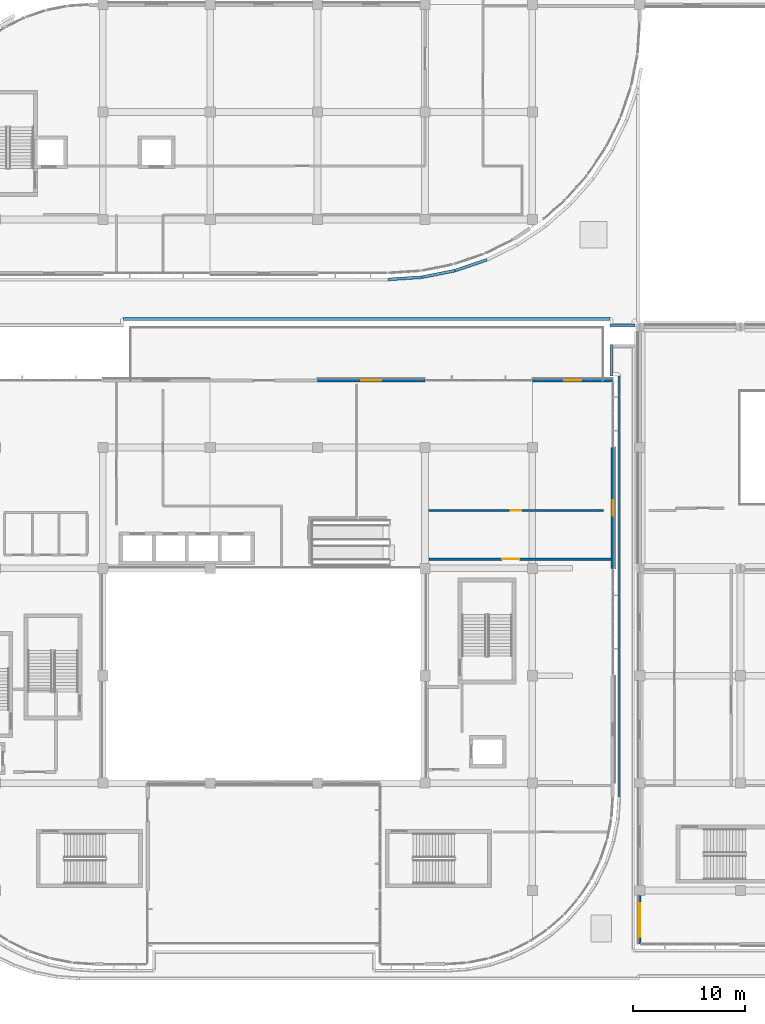
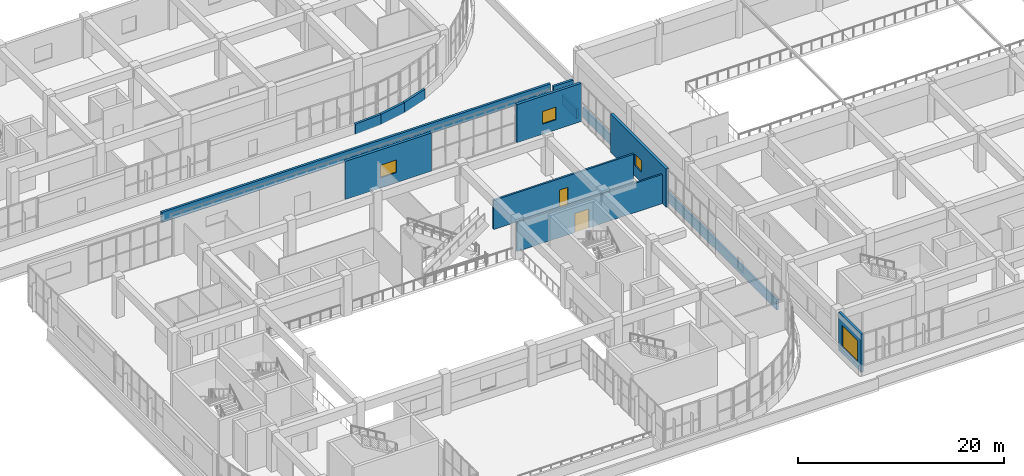
# One storey, part 64 of 96: 13 walls, 4 windows, 2 doors, 6 openings.
"""IFC4 building model written with IfcOpenShell, lengths in metres."""

from ifc_helpers import new_model, si_unit, direction, frame, frame_2d, origin, place, context, subcontext, project, spatial, rectangle, extrude, material, layer, layer_set, type_object, element, fill, save


model = new_model("IFC4")

# Units and contexts
model_context = context("Model", 3, precision=1e-05, world=origin(), true_north=direction((0.0, 1.0)))
body_context = subcontext(model_context, "Body", "Model", "MODEL_VIEW")
ifc_project = project(units=[si_unit("LENGTHUNIT", "METRE"), si_unit("AREAUNIT", "SQUARE_METRE"), si_unit("VOLUMEUNIT", "CUBIC_METRE"), si_unit("PLANEANGLEUNIT", "RADIAN"), si_unit("MASSUNIT", "GRAM", prefix="KILO")], contexts=[model_context])

# Site, building, storey
site_placement = place(None, origin())
site = spatial("IfcSite", under=ifc_project, at=site_placement, CompositionType="ELEMENT")
building_placement = place(site_placement, origin())
building = spatial("IfcBuilding", under=site, at=building_placement, Name="Cendralis Terraced Arcade", CompositionType="ELEMENT")
storey_placement = place(building_placement, frame((0.0, 0.0, 10.199951171875)))
storey = spatial("IfcBuildingStorey", under=building, at=storey_placement, Name="L02", CompositionType="ELEMENT", Elevation=10.199951171875)

# Wall, opening, door
ifc_material_1 = material(Name="Gypsum plasterboard acoustic partition", Category="concrete")
ifc_layer_1 = layer(ifc_material_1, 0.195068359375, Name="WL-ACOU-195")
ifc_layer_set_1 = layer_set([ifc_layer_1], Name="Gypsum plasterboard acoustic partition")
wall_type_1 = type_object("IfcWallType", Name="WL-ACOU-195", PredefinedType="PARTITIONING", material=ifc_layer_set_1)
wall_1_placement = place(storey_placement, frame((48.37939453125, 39.219970703125, 0.0), z_axis=(0.0, 0.0, 1.0), x_axis=(1.0, 0.0, 0.0)))
wall_1 = element("IfcWall", 1, at=wall_1_placement, inside=storey, type_object=wall_type_1, Name="Interior Partition Wall IW-L02-0445", PredefinedType="PARTITIONING", context=body_context, shape_type="SweptSolid", body=[
    extrude(rectangle(XDim=16.2705078125, YDim=0.195068359375, at=frame_2d((8.13525390625, 0.0))), origin(), (0.0, 0.0, 1.0), 3.455078125),
])
opening_1_placement = place(wall_1_placement, frame((6.515380859375, 0.0, 0.0)))
opening_1 = element("IfcOpeningElement", 2, at=opening_1_placement, cuts=wall_1, Name="Opening D-L02-121", PredefinedType="OPENING", context=body_context, shape_type="SweptSolid", body=[
    extrude(rectangle(XDim=1.550048828125, YDim=2.25, at=frame_2d((0.77490234375, 1.125))), frame((0.0, 0.109375, 0.0), z_axis=(0.0, -1.0, 0.0), x_axis=(1.0, 0.0, 0.0)), (0.0, 0.0, 1.0), 0.218994140625),
])
ifc_material_2 = material(Name="Solid core Andean oak veneer door leaf", Category="aluminium")
door_type_1 = type_object("IfcDoorType", Name="ID-DEP-1550x2250", OperationType="DOUBLE_DOOR_SINGLE_SWING", PredefinedType="DOOR", material=ifc_material_2)
door_1_placement = place(opening_1_placement, origin())
door_1 = element("IfcDoor", 3, at=door_1_placement, inside=storey, type_object=door_type_1, Name="Tailoring and Alteration Workshop Door D-L02-121", OperationType="DOUBLE_DOOR_SINGLE_SWING", OverallHeight=2.25, OverallWidth=1.550048828125, PredefinedType="DOOR", context=body_context, shape_type="SweptSolid", body=[
    extrude(rectangle(XDim=1.550048828125, YDim=2.25, at=frame_2d((0.77490234375, 1.125))), frame((0.0, 0.02490234375, 0.0), z_axis=(0.0, -1.0, 0.0), x_axis=(1.0, 0.0, 0.0)), (0.0, 0.0, 1.0), 0.050048828125),
])
fill(opening_1, door_1)

ifc_layer_2 = layer(ifc_material_1, 0.2099609375, Name="WL-ACOU-210")
ifc_layer_set_2 = layer_set([ifc_layer_2], Name="Gypsum plasterboard acoustic partition")
wall_type_2 = type_object("IfcWallType", Name="WL-ACOU-210", PredefinedType="PARTITIONING", material=ifc_layer_set_2)
wall_2_placement = place(storey_placement, frame((63.9599609375, 43.580078125, 0.0), z_axis=(0.0, 0.0, 1.0), x_axis=(-1.0, 0.0, 0.0)))
wall_2 = element("IfcWall", 4, at=wall_2_placement, inside=storey, type_object=wall_type_2, Name="Interior Partition Wall IW-L02-0443", PredefinedType="PARTITIONING", context=body_context, shape_type="SweptSolid", body=[
    extrude(rectangle(XDim=15.653076171875, YDim=0.2099609375, at=frame_2d((7.82666015625, 0.0))), origin(), (0.0, 0.0, 1.0), 3.455078125),
])
opening_2_placement = place(wall_2_placement, frame((7.36669921875, 0.0, 0.0)))
opening_2 = element("IfcOpeningElement", 5, at=opening_2_placement, cuts=wall_2, Name="Opening D-L02-120", PredefinedType="OPENING", context=body_context, shape_type="SweptSolid", body=[
    extrude(rectangle(XDim=0.919921875, YDim=2.10009765625, at=frame_2d((0.4599609375, 1.050048828125))), frame((0.0, 0.116943359375, 0.0), z_axis=(0.0, -1.0, 0.0), x_axis=(1.0, 0.0, 0.0)), (0.0, 0.0, 1.0), 0.23388671875),
])
door_type_2 = type_object("IfcDoorType", Name="ID-RM-0920x2100", OperationType="NOTDEFINED", PredefinedType="DOOR", material=ifc_material_2)
door_2_placement = place(opening_2_placement, origin())
door_2 = element("IfcDoor", 6, at=door_2_placement, inside=storey, type_object=door_type_2, Name="Tailoring and Alteration Workshop Door D-L02-120", OperationType="SINGLE_SWING_LEFT", OverallHeight=2.10009765625, OverallWidth=0.919921875, PredefinedType="DOOR", context=body_context, shape_type="SweptSolid", body=[
    extrude(rectangle(XDim=0.919921875, YDim=2.10009765625, at=frame_2d((0.4599609375, 1.050048828125))), frame((0.0, 0.02490234375, 0.0), z_axis=(0.0, -1.0, 0.0), x_axis=(1.0, 0.0, 0.0)), (0.0, 0.0, 1.0), 0.050048828125),
])
fill(opening_2, door_2)

# Wall, opening, window
ifc_material_3 = material(Name="Precast concrete f'c 40 MPa", Category="concrete")
ifc_layer_3 = layer(ifc_material_3, 0.300048828125, Name="WL-EXT-GRC-300")
ifc_layer_set_3 = layer_set([ifc_layer_3], Name="Precast concrete f'c 40 MPa")
wall_type_3 = type_object("IfcWallType", Name="WL-EXT-GRC-300", PredefinedType="SOLIDWALL", material=ifc_layer_set_3)
wall_3_placement = place(storey_placement, frame((38.39990234375, 55.199951171875, 0.0), z_axis=(0.0, 0.0, 1.0), x_axis=(1.0, 0.0, 0.0)))
wall_3 = element("IfcWall", 7, at=wall_3_placement, inside=storey, type_object=wall_type_3, Name="Exterior Architectural Wall EW-L02-0225", PredefinedType="SOLIDWALL", context=body_context, shape_type="SweptSolid", body=[
    extrude(rectangle(XDim=9.60009765625, YDim=0.300048828125, at=frame_2d((4.800048828125, 0.0))), origin(), (0.0, 0.0, 1.0), 4.51513671875),
])
opening_3_placement = place(wall_3_placement, frame((3.89990234375, 0.0, 1.199951171875)))
opening_3 = element("IfcOpeningElement", 8, at=opening_3_placement, cuts=wall_3, Name="Opening W-19", PredefinedType="OPENING", context=body_context, shape_type="SweptSolid", body=[
    extrude(rectangle(XDim=1.800048828125, YDim=1.5, at=frame_2d((0.89990234375, 0.75))), frame((0.0, 0.162109375, 0.0), z_axis=(0.0, -1.0, 0.0), x_axis=(1.0, 0.0, 0.0)), (0.0, 0.0, 1.0), 0.323974609375),
])
ifc_material_4 = material(Name="Tempered solar control laminated glass", Category="glass")
window_type_1 = type_object("IfcWindowType", Name="WN-BOH-1800x1500", PartitioningType="SINGLE_PANEL", PredefinedType="WINDOW", material=ifc_material_4)
window_1_placement = place(opening_3_placement, origin())
window_1 = element("IfcWindow", 9, at=window_1_placement, inside=storey, type_object=window_type_1, Name="Exterior Solar-Control Window WN-L02-0138", OverallHeight=1.5, OverallWidth=1.800048828125, PartitioningType="SINGLE_PANEL", PredefinedType="WINDOW", context=body_context, shape_type="SweptSolid", body=[
    extrude(rectangle(XDim=1.800048828125, YDim=1.5, at=frame_2d((0.89990234375, 0.75))), frame((0.0, 0.030029296875, 0.0), z_axis=(0.0, -1.0, 0.0), x_axis=(1.0, 0.0, 0.0)), (0.0, 0.0, 1.0), 0.06005859375),
])
fill(opening_3, window_1)

wall_4_placement = place(storey_placement, frame((57.60009765625, 55.199951171875, 0.0), z_axis=(0.0, 0.0, 1.0), x_axis=(1.0, 0.0, 0.0)))
wall_4 = element("IfcWall", 10, at=wall_4_placement, inside=storey, type_object=wall_type_3, Name="Exterior Architectural Wall EW-L02-0226", PredefinedType="SOLIDWALL", context=body_context, shape_type="SweptSolid", body=[
    extrude(rectangle(XDim=7.199951171875, YDim=0.300048828125, at=frame_2d((3.60009765625, 0.0))), origin(), (0.0, 0.0, 1.0), 4.51513671875),
])
opening_4_placement = place(wall_4_placement, frame((2.85009765625, 0.0, 1.199951171875)))
opening_4 = element("IfcOpeningElement", 11, at=opening_4_placement, cuts=wall_4, Name="Opening W-20", PredefinedType="OPENING", context=body_context, shape_type="SweptSolid", body=[
    extrude(rectangle(XDim=1.5, YDim=1.5, at=frame_2d((0.75, 0.75))), frame((0.0, 0.162109375, 0.0), z_axis=(0.0, -1.0, 0.0), x_axis=(1.0, 0.0, 0.0)), (0.0, 0.0, 1.0), 0.323974609375),
])
window_type_2 = type_object("IfcWindowType", Name="WN-BOH-1500x1500", PartitioningType="SINGLE_PANEL", PredefinedType="WINDOW", material=ifc_material_4)
window_2_placement = place(opening_4_placement, origin())
window_2 = element("IfcWindow", 12, at=window_2_placement, inside=storey, type_object=window_type_2, Name="Exterior Solar-Control Window WN-L02-0139", OverallHeight=1.5, OverallWidth=1.5, PartitioningType="SINGLE_PANEL", PredefinedType="WINDOW", context=body_context, shape_type="SweptSolid", body=[
    extrude(rectangle(XDim=1.5, YDim=1.5, at=frame_2d((0.75, 0.75))), frame((0.0, 0.030029296875, 0.0), z_axis=(0.0, -1.0, 0.0), x_axis=(1.0, 0.0, 0.0)), (0.0, 0.0, 1.0), 0.06005859375),
])
fill(opening_4, window_2)

wall_5_placement = place(storey_placement, frame((64.800048828125, 49.199951171875, 0.0), z_axis=(0.0, 0.0, 1.0), x_axis=(0.0, -1.0, 0.0)))
wall_5 = element("IfcWall", 13, at=wall_5_placement, inside=storey, type_object=wall_type_3, Name="Exterior Architectural Wall EW-L02-0227", PredefinedType="SOLIDWALL", context=body_context, shape_type="SweptSolid", body=[
    extrude(rectangle(XDim=10.800048828125, YDim=0.300048828125, at=frame_2d((5.39990234375, 0.0))), origin(), (0.0, 0.0, 1.0), 4.51513671875),
])
opening_5_placement = place(wall_5_placement, frame((4.72509765625, 0.0, 1.25)))
opening_5 = element("IfcOpeningElement", 14, at=opening_5_placement, cuts=wall_5, Name="Opening W-21", PredefinedType="OPENING", context=body_context, shape_type="SweptSolid", body=[
    extrude(rectangle(XDim=1.35009765625, YDim=1.39990234375, at=frame_2d((0.675048828125, 0.699951171875))), frame((0.0, 0.162109375, 0.0), z_axis=(0.0, -1.0, 0.0), x_axis=(1.0, 0.0, 0.0)), (0.0, 0.0, 1.0), 0.323974609375),
])
window_type_3 = type_object("IfcWindowType", Name="WN-BOH-1350x1400", PartitioningType="SINGLE_PANEL", PredefinedType="WINDOW", material=ifc_material_4)
window_3_placement = place(opening_5_placement, origin())
window_3 = element("IfcWindow", 15, at=window_3_placement, inside=storey, type_object=window_type_3, Name="Exterior Solar-Control Window WN-L02-0140", OverallHeight=1.39990234375, OverallWidth=1.35009765625, PartitioningType="SINGLE_PANEL", PredefinedType="WINDOW", context=body_context, shape_type="SweptSolid", body=[
    extrude(rectangle(XDim=1.35009765625, YDim=1.39990234375, at=frame_2d((0.675048828125, 0.699951171875))), frame((0.0, 0.030029296875, 0.0), z_axis=(0.0, -1.0, 0.0), x_axis=(1.0, 0.0, 0.0)), (0.0, 0.0, 1.0), 0.06005859375),
])
fill(opening_5, window_3)

ifc_material_5 = material(Name="Terracotta clay masonry", Category="masonry")
ifc_layer_4 = layer(ifc_material_5, 0.264892578125, Name="WL-EXT-TER-265")
ifc_layer_set_4 = layer_set([ifc_layer_4], Name="Terracotta clay masonry")
wall_type_4 = type_object("IfcWallType", Name="WL-EXT-TER-265", PredefinedType="SOLIDWALL", material=ifc_layer_set_4)
wall_6_placement = place(storey_placement, frame((67.199951171875, 4.800048828125, 0.0), z_axis=(0.0, 0.0, 1.0), x_axis=(0.0, 1.0, 0.0)))
wall_6 = element("IfcWall", 16, at=wall_6_placement, inside=storey, type_object=wall_type_4, Name="Exterior Architectural Wall EW-L02-0207", PredefinedType="SOLIDWALL", context=body_context, shape_type="SweptSolid", body=[
    extrude(rectangle(XDim=4.35205078125, YDim=0.264892578125, at=frame_2d((2.176025390625, 0.0))), origin(), (0.0, 0.0, 1.0), 4.51513671875),
])
opening_6_placement = place(wall_6_placement, frame((0.676025390625, 0.0, 0.85009765625)))
opening_6 = element("IfcOpeningElement", 17, at=opening_6_placement, cuts=wall_6, Name="Opening W-08", PredefinedType="OPENING", context=body_context, shape_type="SweptSolid", body=[
    extrude(rectangle(XDim=3.0, YDim=2.5, at=frame_2d((1.5, 1.25))), frame((0.0, 0.14453125, 0.0), z_axis=(0.0, -1.0, 0.0), x_axis=(1.0, 0.0, 0.0)), (0.0, 0.0, 1.0), 0.288818359375),
])
window_type_4 = type_object("IfcWindowType", Name="WN-F2-3000x2500", PartitioningType="SINGLE_PANEL", PredefinedType="WINDOW", material=ifc_material_4)
window_4_placement = place(opening_6_placement, origin())
window_4 = element("IfcWindow", 18, at=window_4_placement, inside=storey, type_object=window_type_4, Name="Exterior Solar-Control Window WN-L02-0127", OverallHeight=2.5, OverallWidth=3.0, PartitioningType="SINGLE_PANEL", PredefinedType="WINDOW", context=body_context, shape_type="SweptSolid", body=[
    extrude(rectangle(XDim=3.0, YDim=2.5, at=frame_2d((1.5, 1.25))), frame((0.0, 0.030029296875, 0.0), z_axis=(0.0, -1.0, 0.0), x_axis=(1.0, 0.0, 0.0)), (0.0, 0.0, 1.0), 0.06005859375),
])
fill(opening_6, window_4)

# Walls
ifc_layer_5 = layer(ifc_material_3, 0.205078125, Name="WL-PAR-205")
ifc_layer_set_5 = layer_set([ifc_layer_5], Name="Precast concrete f'c 40 MPa")
wall_type_5 = type_object("IfcWallType", Name="WL-PAR-205", PredefinedType="PARAPET", material=ifc_layer_set_5)
wall_7_placement = place(storey_placement, frame((65.342529296875, 17.986328125, 0.0), z_axis=(0.0, 0.0, 1.0), x_axis=(0.0, 1.0, 0.0)))
element("IfcWall", 19, at=wall_7_placement, inside=storey, type_object=wall_type_5, Name="Precast Concrete Roof Parapet Wall PAR-L02-151", PredefinedType="PARAPET", context=body_context, shape_type="SweptSolid", body=[
    extrude(rectangle(XDim=37.6337890625, YDim=0.205078125, at=frame_2d((18.81689453125, 0.0))), origin(), (0.0, 0.0, 1.0), 1.199951171875),
])
wall_8_placement = place(storey_placement, frame((64.672607421875, 55.6201171875, 0.0), z_axis=(0.0, 0.0, 1.0), x_axis=(0.0, 1.0, 0.0)))
element("IfcWall", 20, at=wall_8_placement, inside=storey, type_object=wall_type_5, Name="Precast Concrete Roof Parapet Wall PAR-L02-152", PredefinedType="PARAPET", context=body_context, shape_type="SweptSolid", body=[
    extrude(rectangle(XDim=2.77978515625, YDim=0.205078125, at=frame_2d((1.389892578125, 0.0))), origin(), (0.0, 0.0, 1.0), 1.199951171875),
])
ifc_layer_6 = layer(ifc_material_3, 0.25, Name="WL-PAR-250")
ifc_layer_set_6 = layer_set([ifc_layer_6], Name="Precast concrete f'c 40 MPa")
wall_type_6 = type_object("IfcWallType", Name="WL-PAR-250", PredefinedType="PARAPET", material=ifc_layer_set_6)
wall_9_placement = place(storey_placement, frame((44.723388671875, 64.2353515625, 0.0), z_axis=(0.0, 0.0, 1.0), x_axis=(0.997861237822, 0.065367805937, 0.0)))
element("IfcWall", 21, at=wall_9_placement, inside=storey, type_object=wall_type_6, Name="Precast Concrete Roof Parapet Wall PAR-L02-019", PredefinedType="PARAPET", context=body_context, shape_type="SweptSolid", body=[
    extrude(rectangle(XDim=2.984130859375, YDim=0.25, at=frame_2d((1.4921875, 0.0))), origin(), (0.0, 0.0, 1.0), 1.199951171875),
])
for number, where, z_axis, x_axis, name in (
    (22, (47.719970703125, 64.43310546875, 0.0), (0.0, 0.0, 1.0), (0.980799292041, 0.195019867533, 0.0), "Precast Concrete Roof Parapet Wall PAR-L02-020"),
    (23, (50.678955078125, 65.022705078125, 0.0), (0.0, 0.0, 1.0), (0.946918072867, 0.321474980796, 0.0), "Precast Concrete Roof Parapet Wall PAR-L02-021"),
):
    element("IfcWall", number, at=place(storey_placement, frame(where, z_axis=z_axis, x_axis=x_axis)), inside=storey, type_object=wall_type_6, Name=name, PredefinedType="PARAPET", context=body_context, shape_type="SweptSolid", body=[
        extrude(rectangle(XDim=2.998291015625, YDim=0.25, at=frame_2d((1.4990234375, 0.0))), origin(), (0.0, 0.0, 1.0), 1.199951171875),
    ])
wall_10_placement = place(storey_placement, frame((66.780029296875, 60.14501953125, 0.0), z_axis=(0.0, 0.0, 1.0), x_axis=(-1.0, 0.0, 0.0)))
element("IfcWall", 24, at=wall_10_placement, inside=storey, type_object=wall_type_6, Name="Precast Concrete Roof Parapet Wall PAR-L02-031", PredefinedType="PARAPET", context=body_context, shape_type="SweptSolid", body=[
    extrude(rectangle(XDim=2.22998046875, YDim=0.25, at=frame_2d((1.114990234375, 0.0))), origin(), (0.0, 0.0, 1.0), 1.199951171875),
])
wall_11_placement = place(storey_placement, frame((64.550048828125, 60.695068359375, 0.0), z_axis=(0.0, 0.0, 1.0), x_axis=(-1.0, 0.0, 0.0)))
element("IfcWall", 25, at=wall_11_placement, inside=storey, type_object=wall_type_6, Name="Precast Concrete Roof Parapet Wall PAR-L02-032", PredefinedType="PARAPET", context=body_context, shape_type="SweptSolid", body=[
    extrude(rectangle(XDim=43.5, YDim=0.25, at=frame_2d((21.75, 0.0))), origin(), (0.0, 0.0, 1.0), 1.199951171875),
])

save(model, "model.ifc")
